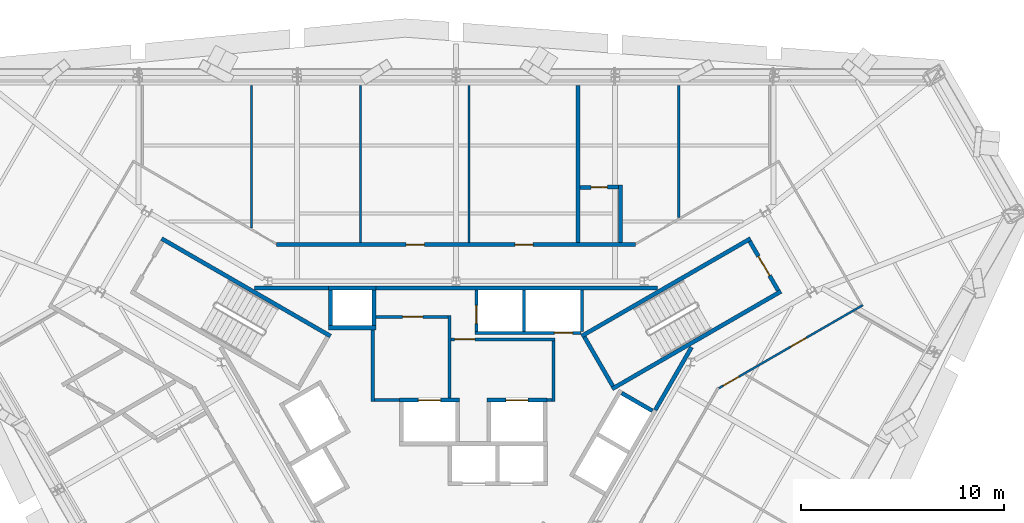
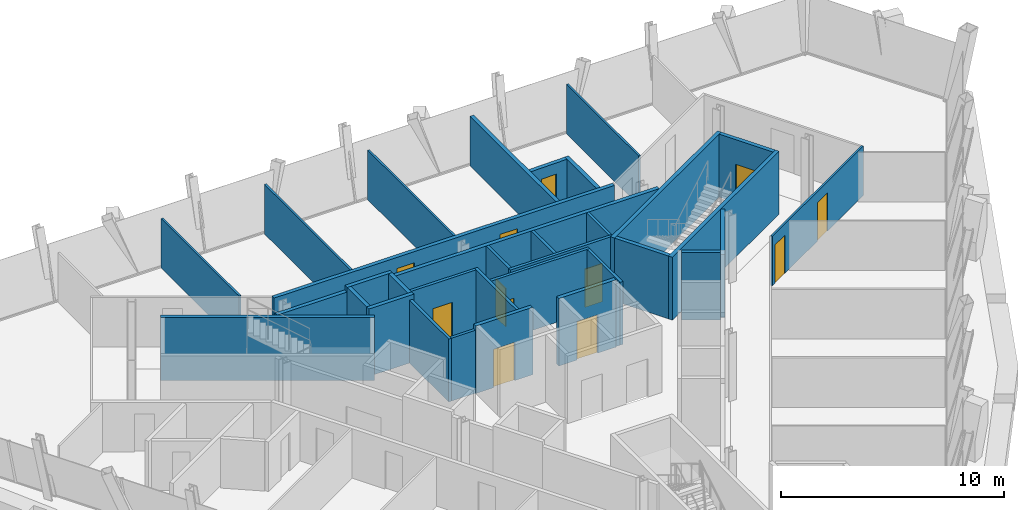
# One storey, part 9 of 12: 35 walls, 12 doors, 12 openings.
"""IFC4 building model written with IfcOpenShell, lengths in metres."""

import ifcopenshell
import ifcopenshell.guid

model = None  # the IFC model being written
_history = None  # IfcOwnerHistory: only IFC2X3 demands one
_inside = {}  # id of a spatial element -> (the spatial element, [elements in it])
_under = {}  # id of a project, library or spatial element -> (it, [spatial elements below it])
_declared = {}  # id of a project -> (the project, [libraries it declares])
_typed = {}  # id of a type object -> (the type object, [elements of that type])
_made_of = {}  # id of a material, layer set ... -> (it, [elements and type objects made of it])


def new_model(schema):
    """Start an empty IFC model of exactly this schema.

    Asked for "IFC4X3", IfcOpenShell would pick the latest addendum, in which some entities
    have other attributes; the version numbers below select the first issue.
    IFC2X3 requires an IfcOwnerHistory on every rooted entity: one is made here for all.
    """
    global model, _history
    if schema == "IFC4X3":
        model = ifcopenshell.file(schema_version=(4, 3, 0, 0))
    else:
        model = ifcopenshell.file(schema=schema)
    _inside.clear()
    _under.clear()
    _declared.clear()
    _typed.clear()
    _made_of.clear()
    _history = None
    if model.schema == "IFC2X3":
        org = make("IfcOrganization", Name="unknown")
        user = make(
            "IfcPersonAndOrganization",
            ThePerson=make("IfcPerson", FamilyName="unknown"),
            TheOrganization=org,
        )
        app = make(
            "IfcApplication",
            ApplicationDeveloper=org,
            Version="unknown",
            ApplicationFullName="unknown",
            ApplicationIdentifier="unknown",
        )
        _history = make(
            "IfcOwnerHistory",
            OwningUser=user,
            OwningApplication=app,
            ChangeAction="ADDED",
            CreationDate=0,
        )
    return model


def make(cls, **values):
    """One entity of the class cls with the attributes given. An attribute that is None is left unset."""
    return model.create_entity(
        cls, **{name: value for name, value in values.items() if value is not None}
    )


def rooted(cls, **values):
    """An entity with a GlobalId (a new one), such as an element, a storey or a relation."""
    return make(cls, GlobalId=ifcopenshell.guid.new(), OwnerHistory=_history, **values)


def si_unit(unit_type, name, prefix=None):
    """IfcSIUnit, for example si_unit("LENGTHUNIT", "METRE", prefix="MILLI")."""
    return make("IfcSIUnit", UnitType=unit_type, Prefix=prefix, Name=name)


def assignment(units):
    """IfcUnitAssignment: the units of a project."""
    return None if units is None else make("IfcUnitAssignment", Units=units)


def point(xyz):
    """IfcCartesianPoint."""
    return None if xyz is None else make("IfcCartesianPoint", Coordinates=xyz)


def direction(xyz):
    """IfcDirection."""
    return None if xyz is None else make("IfcDirection", DirectionRatios=xyz)


def frame(location, z_axis=None, x_axis=None):
    """IfcAxis2Placement3D, a coordinate frame: its origin and axes. An axis left out is left unset."""
    return make(
        "IfcAxis2Placement3D",
        Location=point(location),
        Axis=direction(z_axis),
        RefDirection=direction(x_axis),
    )


def frame_2d(location, x_axis=None):
    """IfcAxis2Placement2D, a coordinate frame in the plane: its origin and x axis."""
    return make(
        "IfcAxis2Placement2D", Location=point(location), RefDirection=direction(x_axis)
    )


def origin():
    """The frame at (0, 0, 0) with its axes left unset."""
    return frame((0.0, 0.0, 0.0))


def place(relative_to, where):
    """IfcLocalPlacement: puts the frame where relative to a parent placement (None: the world)."""
    return make(
        "IfcLocalPlacement", PlacementRelTo=relative_to, RelativePlacement=where
    )


def context(
    kind, dimensions, precision=None, world=None, true_north=None, identifier=None
):
    """IfcGeometricRepresentationContext, for example the 3D "Model" context."""
    return make(
        "IfcGeometricRepresentationContext",
        ContextIdentifier=identifier,
        ContextType=kind,
        CoordinateSpaceDimension=dimensions,
        Precision=precision,
        WorldCoordinateSystem=world,
        TrueNorth=true_north,
    )


def subcontext(parent, identifier, kind, view, scale=None):
    """IfcGeometricRepresentationSubContext, for example "Body" below "Model"."""
    return make(
        "IfcGeometricRepresentationSubContext",
        ContextIdentifier=identifier,
        ContextType=kind,
        ParentContext=parent,
        TargetScale=scale,
        TargetView=view,
    )


def project(units=None, contexts=None):
    """IfcProject with its units and contexts."""
    return rooted(
        "IfcProject",
        Name="project",
        RepresentationContexts=contexts,
        UnitsInContext=assignment(units),
    )


def spatial(cls, under=None, at=None, **own):
    """A site, building, storey or space (cls), placed at a placement, below another one or the project."""
    s = rooted(cls, ObjectPlacement=at, **own)
    if under is not None:
        _under.setdefault(under.id(), (under, []))[1].append(s)
    return s


def profile(cls, at=None, kind="AREA", **sizes):
    """A parametric profile (cls). Its sizes go by their IFC names, for example OverallWidth=200.0."""
    return make(cls, ProfileType=kind, Position=at, **sizes)


def rectangle(**sizes):
    """IfcRectangleProfileDef."""
    return profile("IfcRectangleProfileDef", **sizes)


def extrude(swept, where, along, depth):
    """IfcExtrudedAreaSolid: the profile swept, set in the frame where, extruded along a direction by depth."""
    return make(
        "IfcExtrudedAreaSolid",
        SweptArea=swept,
        Position=where,
        ExtrudedDirection=direction(along),
        Depth=depth,
    )


def shape(context_of_items, identifier, shape_type, items):
    """IfcShapeRepresentation: the items that make up one representation, for example the "Body"."""
    return make(
        "IfcShapeRepresentation",
        ContextOfItems=context_of_items,
        RepresentationIdentifier=identifier,
        RepresentationType=shape_type,
        Items=items,
    )


def material(Name=None, Category=None):
    """IfcMaterial."""
    return make("IfcMaterial", Name=Name, Category=Category)


def layer(
    of_material, thickness, ventilated=None, Name=None, Category=None, Priority=None
):
    """IfcMaterialLayer: one layer of a wall or slab, of a material (None: an air gap)."""
    return make(
        "IfcMaterialLayer",
        Material=of_material,
        LayerThickness=thickness,
        IsVentilated=ventilated,
        Name=Name,
        Category=Category,
        Priority=Priority,
    )


def layer_set(layers, Name=None):
    """IfcMaterialLayerSet."""
    return make("IfcMaterialLayerSet", MaterialLayers=layers, LayerSetName=Name)


def made_of(thing, what):
    """Note that an element or type object is made of a material, layer set ...; save() writes the relation."""
    if what is not None:
        _made_of.setdefault(what.id(), (what, []))[1].append(thing)
    return thing


def type_object(cls, material=None, **own):
    """A type object (cls), such as IfcWallType, which elements share."""
    return made_of(rooted(cls, **own), material)


def element(
    cls,
    number,
    at=None,
    inside=None,
    cuts=None,
    type_object=None,
    material=None,
    context=None,
    identifier="Body",
    shape_type=None,
    held_by="IfcProductDefinitionShape",
    body=None,
    shapes=None,
    **own,
):
    """One element of the class cls, such as IfcWall. Its Tag is "e" and its number.

    at: its placement. inside: the storey or other place that contains it. cuts: it is an
    opening in that element (IfcRelVoidsElement). A single representation is given by context,
    identifier, shape_type and body (its items); several are given by shapes. held_by: the class
    of the entity that holds the representations. save() writes the other relations.
    """
    e = rooted(cls, Tag="e%d" % number, ObjectPlacement=at, **own)
    if body is not None:
        shapes = [shape(context, identifier, shape_type, body)]
    if shapes is not None:
        e.Representation = make(held_by, Representations=shapes)
    if inside is not None:
        _inside.setdefault(inside.id(), (inside, []))[1].append(e)
    if cuts is not None:
        rooted(
            "IfcRelVoidsElement", RelatingBuildingElement=cuts, RelatedOpeningElement=e
        )
    if type_object is not None:
        _typed.setdefault(type_object.id(), (type_object, []))[1].append(e)
    return made_of(e, material)


def fill(opening, filler):
    """IfcRelFillsElement: the door or window that sits in an opening."""
    return rooted(
        "IfcRelFillsElement",
        RelatingOpeningElement=opening,
        RelatedBuildingElement=filler,
    )


def aggregate(whole, parts):
    """IfcRelAggregates: a whole, such as a stair, and the parts it consists of."""
    return rooted("IfcRelAggregates", RelatingObject=whole, RelatedObjects=parts)


def save(model, path):
    """Write the relations noted so far, then the file.

    IfcRelAggregates (storeys below a building ...), IfcRelContainedInSpatialStructure (elements
    in a storey), IfcRelDefinesByType, IfcRelAssociatesMaterial and IfcRelDeclares: one each for
    every whole, place, type object, material and project.
    """
    for whole, parts in _under.values():
        aggregate(whole, parts)
    for where, things in _inside.values():
        rooted(
            "IfcRelContainedInSpatialStructure",
            RelatedElements=things,
            RelatingStructure=where,
        )
    for kind, things in _typed.values():
        rooted("IfcRelDefinesByType", RelatedObjects=things, RelatingType=kind)
    for what, things in _made_of.values():
        rooted("IfcRelAssociatesMaterial", RelatedObjects=things, RelatingMaterial=what)
    for by, libraries in _declared.values():
        rooted("IfcRelDeclares", RelatingContext=by, RelatedDefinitions=libraries)
    model.write(path)


model = new_model("IFC4")

# Units and contexts
model_context = context("Model", 3, precision=1e-05, world=origin(), true_north=direction((0.0, 1.0)))
body_context = subcontext(model_context, "Body", "Model", "MODEL_VIEW")
ifc_project = project(units=[si_unit("LENGTHUNIT", "METRE"), si_unit("AREAUNIT", "SQUARE_METRE"), si_unit("VOLUMEUNIT", "CUBIC_METRE"), si_unit("PLANEANGLEUNIT", "RADIAN"), si_unit("MASSUNIT", "GRAM", prefix="KILO")], contexts=[model_context])

# Site, building, storey
site_placement = place(None, origin())
site = spatial("IfcSite", under=ifc_project, at=site_placement, CompositionType="ELEMENT")
building_placement = place(site_placement, origin())
building = spatial("IfcBuilding", under=site, at=building_placement, Name="Verrane Prism Tower", CompositionType="ELEMENT")
storey_placement = place(building_placement, frame((0.0, 0.0, 185.800048828125)))
storey = spatial("IfcBuildingStorey", under=building, at=storey_placement, Name="L46", CompositionType="ELEMENT", Elevation=185.800048828125)

# Walls
ifc_material_1 = material(Name="Gypsum board partition", Category="other")
ifc_layer_1 = layer(ifc_material_1, 0.199951171875)
ifc_layer_set_1 = layer_set([ifc_layer_1], Name="CW-200 core boundary wall 2 h")
wall_type_1 = type_object("IfcWallType", Name="CW-200 core boundary wall 2 h", PredefinedType="PARTITIONING", material=ifc_layer_set_1)
wall_1_placement = place(storey_placement, frame((-9.907958984375, 7.659912109375, 0.0), z_axis=(0.0, 0.0, 1.0), x_axis=(1.0, 0.0, 0.0)))
element("IfcWall", 1, at=wall_1_placement, inside=storey, type_object=wall_type_1, Name="Core boundary wall CW3-002", PredefinedType="PARTITIONING", context=body_context, shape_type="SweptSolid", body=[
    extrude(rectangle(XDim=3.620849609375, YDim=0.199951171875, at=frame_2d((1.810546875, 0.0))), origin(), (0.0, 0.0, 1.0), 3.449951171875),
])
wall_2_placement = place(storey_placement, frame((-3.93310546875, 7.659912109375, 0.0), z_axis=(0.0, 0.0, 1.0), x_axis=(1.0, 0.0, 0.0)))
element("IfcWall", 2, at=wall_2_placement, inside=storey, type_object=wall_type_1, Name="Core boundary wall CW3-005", PredefinedType="PARTITIONING", context=body_context, shape_type="SweptSolid", body=[
    extrude(rectangle(XDim=13.841064453125, YDim=0.199951171875, at=frame_2d((6.92041015625, 0.0))), origin(), (0.0, 0.0, 1.0), 3.449951171875),
])
wall_3_placement = place(storey_placement, frame((9.802978515625, 1.657958984375, 0.0), z_axis=(0.0, 0.0, 1.0), x_axis=(0.499943114462, 0.866058244174, 0.0)))
element("IfcWall", 3, at=wall_3_placement, inside=storey, type_object=wall_type_1, Name="Core boundary wall CW3-008", PredefinedType="PARTITIONING", context=body_context, shape_type="SweptSolid", body=[
    extrude(rectangle(XDim=3.57568359375, YDim=0.199951171875, at=frame_2d((1.787841796875, 0.0))), origin(), (0.0, 0.0, 1.0), 3.449951171875),
])

# Wall, opening, door
ifc_material_2 = material(Name="Concrete C40/50", Category="concrete")
ifc_layer_2 = layer(ifc_material_2, 0.199951171875)
ifc_layer_set_2 = layer_set([ifc_layer_2], Name="CW-200 stair core wall concrete C40/50 3 h")
wall_type_2 = type_object("IfcWallType", Name="CW-200 stair core wall concrete C40/50 3 h", PredefinedType="PARTITIONING", material=ifc_layer_set_2)
wall_4_placement = place(storey_placement, frame((15.85546875, 7.53759765625, 0.0), z_axis=(0.0, 0.0, 1.0), x_axis=(-0.500049511043, 0.865996816683, 0.0)))
wall_4 = element("IfcWall", 4, at=wall_4_placement, inside=storey, type_object=wall_type_2, Name="Stair 1 enclosure wall", PredefinedType="PARTITIONING", context=body_context, shape_type="SweptSolid", body=[
    extrude(rectangle(XDim=2.800048828125, YDim=0.199951171875, at=frame_2d((1.39990234375, 0.0))), origin(), (0.0, 0.0, 1.0), 3.449951171875),
])
opening_1_placement = place(wall_4_placement, frame((0.849853515625, 0.0, 0.0)))
opening_1 = element("IfcOpeningElement", 5, at=opening_1_placement, cuts=wall_4, Name="Opening D44500", PredefinedType="OPENING", context=body_context, shape_type="SweptSolid", body=[
    extrude(rectangle(XDim=1.10009765625, YDim=2.10009765625, at=frame_2d((0.550048828125, 1.050048828125))), frame((0.0, 0.10986328125, 0.0), z_axis=(0.0, -1.0, 0.0), x_axis=(1.0, 0.0, 0.0)), (0.0, 0.0, 1.0), 0.219970703125),
])
ifc_material_3 = material(Name="Timber veneered door leaf", Category="wood")
door_type_1 = type_object("IfcDoorType", Name="DR-1100x2100 FD90 single leaf stair", OperationType="NOTDEFINED", PredefinedType="DOOR", material=ifc_material_3)
door_1_placement = place(opening_1_placement, origin())
door_1 = element("IfcDoor", 6, at=door_1_placement, inside=storey, type_object=door_type_1, Name="Stair 1 door", OperationType="SINGLE_SWING_LEFT", OverallHeight=2.10009765625, OverallWidth=1.10009765625, PredefinedType="DOOR", context=body_context, shape_type="SweptSolid", body=[
    extrude(rectangle(XDim=1.10009765625, YDim=2.10009765625, at=frame_2d((0.550048828125, 1.050048828125))), frame((0.0, 0.02490234375, 0.0), z_axis=(0.0, -1.0, 0.0), x_axis=(1.0, 0.0, 0.0)), (0.0, 0.0, 1.0), 0.050048828125),
])
fill(opening_1, door_1)

# Walls
for number, where, z_axis, x_axis, name in (
    (7, (6.17822265625, 5.299072265625, 0.0), (0.0, 0.0, 1.0), (0.866019993635, 0.500009370536, 0.0), "Stair 1 enclosure wall"),
    (8, (7.67822265625, 2.700927734375, 0.0), (0.0, 0.0, 1.0), (0.866019993635, 0.500009370536, 0.0), "Stair 1 enclosure wall"),
):
    element("IfcWall", number, at=place(storey_placement, frame(where, z_axis=z_axis, x_axis=x_axis)), inside=storey, type_object=wall_type_2, Name=name, PredefinedType="PARTITIONING", context=body_context, shape_type="SweptSolid", body=[
        extrude(rectangle(XDim=9.599853515625, YDim=0.199951171875, at=frame_2d((4.7998046875, 0.0))), origin(), (0.0, 0.0, 1.0), 3.449951171875),
    ])
wall_5_placement = place(storey_placement, frame((7.71484375, 2.837646484375, 0.0), z_axis=(0.0, 0.0, 1.0), x_axis=(-0.500049511043, 0.865996816683, 0.0)))
element("IfcWall", 9, at=wall_5_placement, inside=storey, type_object=wall_type_2, Name="Stair 1 enclosure wall", PredefinedType="PARTITIONING", context=body_context, shape_type="SweptSolid", body=[
    extrude(rectangle(XDim=2.800048828125, YDim=0.199951171875, at=frame_2d((1.39990234375, 0.0))), origin(), (0.0, 0.0, 1.0), 3.449951171875),
])
wall_6_placement = place(storey_placement, frame((-6.17822265625, 5.299072265625, 0.0), z_axis=(0.0, 0.0, 1.0), x_axis=(-0.866019993635, 0.500009370536, 0.0)))
element("IfcWall", 10, at=wall_6_placement, inside=storey, type_object=wall_type_2, Name="Stair 2 enclosure wall", PredefinedType="PARTITIONING", context=body_context, shape_type="SweptSolid", body=[
    extrude(rectangle(XDim=9.599853515625, YDim=0.199951171875, at=frame_2d((4.7998046875, 0.0))), origin(), (0.0, 0.0, 1.0), 3.449951171875),
])

# Wall, opening, door
ifc_material_4 = material(Name="Gypsum board shaft wall assembly", Category="other")
ifc_layer_3 = layer(ifc_material_4, 0.199951171875)
ifc_layer_set_3 = layer_set([ifc_layer_3], Name="HW-200 lift shaft wall 2 h")
wall_type_3 = type_object("IfcWallType", Name="HW-200 lift shaft wall 2 h", PredefinedType="PARTITIONING", material=ifc_layer_set_3)
wall_7_placement = place(storey_placement, frame((-2.784912109375, 2.14990234375, 0.0), z_axis=(0.0, 0.0, 1.0), x_axis=(1.0, 0.0, 0.0)))
wall_7 = element("IfcWall", 11, at=wall_7_placement, inside=storey, type_object=wall_type_3, Name="Lift shaft wall", PredefinedType="PARTITIONING", context=body_context, shape_type="SweptSolid", body=[
    extrude(rectangle(XDim=2.949951171875, YDim=0.199951171875, at=frame_2d((1.47509765625, 0.0))), origin(), (0.0, 0.0, 1.0), 3.699951171875),
])
opening_2_placement = place(wall_7_placement, frame((0.925048828125, 0.0, 0.0)))
opening_2 = element("IfcOpeningElement", 12, at=opening_2_placement, cuts=wall_7, Name="Opening D44507", PredefinedType="OPENING", context=body_context, shape_type="SweptSolid", body=[
    extrude(rectangle(XDim=1.10009765625, YDim=2.10009765625, at=frame_2d((0.550048828125, 1.050048828125))), frame((0.0, 0.10986328125, 0.0), z_axis=(0.0, -1.0, 0.0), x_axis=(1.0, 0.0, 0.0)), (0.0, 0.0, 1.0), 0.219970703125),
])
ifc_material_5 = material(Name="Stainless steel sliding landing door", Category="steel")
door_type_2 = type_object("IfcDoorType", Name="LD-1100x2100 lift landing door FD90 sliding", OperationType="NOTDEFINED", PredefinedType="DOOR", material=ifc_material_5)
door_2_placement = place(opening_2_placement, origin())
door_2 = element("IfcDoor", 13, at=door_2_placement, inside=storey, type_object=door_type_2, Name="Fire service lift 1 landing door", OperationType="SLIDING_TO_LEFT", OverallHeight=2.10009765625, OverallWidth=1.10009765625, PredefinedType="DOOR", context=body_context, shape_type="SweptSolid", body=[
    extrude(rectangle(XDim=1.10009765625, YDim=2.10009765625, at=frame_2d((0.550048828125, 1.050048828125))), frame((0.0, 0.02490234375, 0.0), z_axis=(0.0, -1.0, 0.0), x_axis=(1.0, 0.0, 0.0)), (0.0, 0.0, 1.0), 0.050048828125),
])
fill(opening_2, door_2)

wall_8_placement = place(storey_placement, frame((1.52490234375, 2.14990234375, 0.0), z_axis=(0.0, 0.0, 1.0), x_axis=(1.0, 0.0, 0.0)))
wall_8 = element("IfcWall", 14, at=wall_8_placement, inside=storey, type_object=wall_type_3, Name="Lift shaft wall", PredefinedType="PARTITIONING", context=body_context, shape_type="SweptSolid", body=[
    extrude(rectangle(XDim=2.9501953125, YDim=0.199951171875, at=frame_2d((1.47509765625, 0.0))), origin(), (0.0, 0.0, 1.0), 3.699951171875),
])
opening_3_placement = place(wall_8_placement, frame((0.925048828125, 0.0, 0.0)))
opening_3 = element("IfcOpeningElement", 15, at=opening_3_placement, cuts=wall_8, Name="Opening D44508", PredefinedType="OPENING", context=body_context, shape_type="SweptSolid", body=[
    extrude(rectangle(XDim=1.10009765625, YDim=2.10009765625, at=frame_2d((0.550048828125, 1.050048828125))), frame((0.0, 0.10986328125, 0.0), z_axis=(0.0, -1.0, 0.0), x_axis=(1.0, 0.0, 0.0)), (0.0, 0.0, 1.0), 0.219970703125),
])
door_3_placement = place(opening_3_placement, origin())
door_3 = element("IfcDoor", 16, at=door_3_placement, inside=storey, type_object=door_type_2, Name="Fire service lift 2 landing door", OperationType="SLIDING_TO_RIGHT", OverallHeight=2.10009765625, OverallWidth=1.10009765625, PredefinedType="DOOR", context=body_context, shape_type="SweptSolid", body=[
    extrude(rectangle(XDim=1.10009765625, YDim=2.10009765625, at=frame_2d((0.550048828125, 1.050048828125))), frame((0.0, 0.02490234375, 0.0), z_axis=(0.0, -1.0, 0.0), x_axis=(1.0, 0.0, 0.0)), (0.0, 0.0, 1.0), 0.050048828125),
])
fill(opening_3, door_3)

# Walls
for number, where, z_axis, x_axis, name in (
    (17, (-6.284912109375, 5.7099609375, 0.0), (0.0, 0.0, 1.0), (1.0, 0.0, 0.0), "Lift shaft wall"),
    (18, (-6.284912109375, 7.659912109375, 0.0), (0.0, 0.0, 1.0), (1.0, 0.0, 0.0), "Lift shaft wall"),
):
    element("IfcWall", number, at=place(storey_placement, frame(where, z_axis=z_axis, x_axis=x_axis)), inside=storey, type_object=wall_type_3, Name=name, PredefinedType="PARTITIONING", context=body_context, shape_type="SweptSolid", body=[
        extrude(rectangle(XDim=2.349853515625, YDim=0.199951171875, at=frame_2d((1.1748046875, 0.0))), origin(), (0.0, 0.0, 1.0), 3.699951171875),
    ])
for number, where, z_axis, x_axis, name in (
    (19, (-4.034912109375, 5.81005859375, 0.0), (0.0, 0.0, 1.0), (0.0, 1.0, 0.0), "Lift shaft wall"),
    (20, (-6.18505859375, 5.81005859375, 0.0), (0.0, 0.0, 1.0), (0.0, 1.0, 0.0), "Lift shaft wall"),
):
    element("IfcWall", number, at=place(storey_placement, frame(where, z_axis=z_axis, x_axis=x_axis)), inside=storey, type_object=wall_type_3, Name=name, PredefinedType="PARTITIONING", context=body_context, shape_type="SweptSolid", body=[
        extrude(rectangle(XDim=1.75, YDim=0.199951171875, at=frame_2d((0.875, 0.0))), origin(), (0.0, 0.0, 1.0), 3.699951171875),
    ])
wall_9_placement = place(storey_placement, frame((9.66455078125, 1.61962890625, 0.0), z_axis=(0.0, 0.0, 1.0), x_axis=(-0.866002029911, 0.500040482552, 0.0)))
element("IfcWall", 21, at=wall_9_placement, inside=storey, type_object=wall_type_3, Name="Lift shaft wall", PredefinedType="PARTITIONING", context=body_context, shape_type="SweptSolid", body=[
    extrude(rectangle(XDim=1.749755859375, YDim=0.199951171875, at=frame_2d((0.875, 0.0))), origin(), (0.0, 0.0, 1.0), 3.699951171875),
])
ifc_material_6 = material(Name="Gypsum board partition", Category="other")
ifc_layer_4 = layer(ifc_material_6, 0.14990234375)
ifc_layer_set_4 = layer_set([ifc_layer_4], Name="LF-150 firefighting lobby wall 1 h")
wall_type_4 = type_object("IfcWallType", Name="LF-150 firefighting lobby wall 1 h", PredefinedType="PARTITIONING", material=ifc_layer_set_4)
wall_10_placement = place(storey_placement, frame((-4.10009765625, 2.0849609375, 0.0), z_axis=(0.0, 0.0, 1.0), x_axis=(0.0, 1.0, 0.0)))
element("IfcWall", 22, at=wall_10_placement, inside=storey, type_object=wall_type_4, Name="Firefighting lobby wall LF1-001", PredefinedType="PARTITIONING", context=body_context, shape_type="SweptSolid", body=[
    extrude(rectangle(XDim=3.52294921875, YDim=0.14990234375, at=frame_2d((1.761474609375, 0.0))), origin(), (0.0, 0.0, 1.0), 3.449951171875),
])
wall_11_placement = place(storey_placement, frame((-4.02490234375, 2.159912109375, 0.0), z_axis=(0.0, 0.0, 1.0), x_axis=(1.0, 0.0, 0.0)))
element("IfcWall", 23, at=wall_11_placement, inside=storey, type_object=wall_type_4, Name="Firefighting lobby wall LF1-002", PredefinedType="PARTITIONING", context=body_context, shape_type="SweptSolid", body=[
    extrude(rectangle(XDim=1.23779296875, YDim=0.14990234375, at=frame_2d((0.618896484375, 0.0))), origin(), (0.0, 0.0, 1.0), 3.449951171875),
])

# Wall, opening, door
wall_12_placement = place(storey_placement, frame((-3.93310546875, 6.239990234375, 0.0), z_axis=(0.0, 0.0, 1.0), x_axis=(1.0, 0.0, 0.0)))
wall_12 = element("IfcWall", 24, at=wall_12_placement, inside=storey, type_object=wall_type_4, Name="Firefighting lobby wall LF1-003", PredefinedType="PARTITIONING", context=body_context, shape_type="SweptSolid", body=[
    extrude(rectangle(XDim=3.5380859375, YDim=0.14990234375, at=frame_2d((1.76904296875, 0.0))), origin(), (0.0, 0.0, 1.0), 3.449951171875),
])
opening_4_placement = place(wall_12_placement, frame((1.300048828125, 0.0, 0.0)))
opening_4 = element("IfcOpeningElement", 25, at=opening_4_placement, cuts=wall_12, Name="Opening D44511", PredefinedType="OPENING", context=body_context, shape_type="SweptSolid", body=[
    extrude(rectangle(XDim=1.0, YDim=2.10009765625, at=frame_2d((0.5, 1.050048828125))), frame((0.0, 0.0849609375, 0.0), z_axis=(0.0, -1.0, 0.0), x_axis=(1.0, 0.0, 0.0)), (0.0, 0.0, 1.0), 0.169921875),
])
ifc_material_7 = material(Name="Timber veneered door leaf", Category="wood")
door_type_3 = type_object("IfcDoorType", Name="DR-1000x2100 FD60 single leaf firefighting lobby", OperationType="NOTDEFINED", PredefinedType="DOOR", material=ifc_material_7)
door_4_placement = place(opening_4_placement, origin())
door_4 = element("IfcDoor", 26, at=door_4_placement, inside=storey, type_object=door_type_3, Name="Firefighting lobby door D44511", OperationType="SINGLE_SWING_LEFT", OverallHeight=2.10009765625, OverallWidth=1.0, PredefinedType="DOOR", context=body_context, shape_type="SweptSolid", body=[
    extrude(rectangle(XDim=1.0, YDim=2.10009765625, at=frame_2d((0.5, 1.050048828125))), frame((0.0, 0.02490234375, 0.0), z_axis=(0.0, -1.0, 0.0), x_axis=(1.0, 0.0, 0.0)), (0.0, 0.0, 1.0), 0.050048828125),
])
fill(opening_4, door_4)

# Wall
wall_13_placement = place(storey_placement, frame((-0.320068359375, 2.251953125, 0.0), z_axis=(0.0, 0.0, 1.0), x_axis=(0.0, 1.0, 0.0)))
element("IfcWall", 27, at=wall_13_placement, inside=storey, type_object=wall_type_4, Name="Firefighting lobby wall LF1-004", PredefinedType="PARTITIONING", context=body_context, shape_type="SweptSolid", body=[
    extrude(rectangle(XDim=4.06298828125, YDim=0.14990234375, at=frame_2d((2.031494140625, 0.0))), origin(), (0.0, 0.0, 1.0), 3.449951171875),
])

# Wall, opening, door
wall_14_placement = place(storey_placement, frame((-0.2451171875, 5.139892578125, 0.0), z_axis=(0.0, 0.0, 1.0), x_axis=(1.0, 0.0, 0.0)))
wall_14 = element("IfcWall", 28, at=wall_14_placement, inside=storey, type_object=wall_type_4, Name="Firefighting lobby wall LF1-005", PredefinedType="PARTITIONING", context=body_context, shape_type="SweptSolid", body=[
    extrude(rectangle(XDim=5.110107421875, YDim=0.14990234375, at=frame_2d((2.55517578125, 0.0))), origin(), (0.0, 0.0, 1.0), 3.449951171875),
])
opening_5_placement = place(wall_14_placement, frame((0.175048828125, 0.0, 0.0)))
opening_5 = element("IfcOpeningElement", 29, at=opening_5_placement, cuts=wall_14, Name="Opening D44512", PredefinedType="OPENING", context=body_context, shape_type="SweptSolid", body=[
    extrude(rectangle(XDim=1.0, YDim=2.10009765625, at=frame_2d((0.5, 1.050048828125))), frame((0.0, 0.0849609375, 0.0), z_axis=(0.0, -1.0, 0.0), x_axis=(1.0, 0.0, 0.0)), (0.0, 0.0, 1.0), 0.169921875),
])
door_5_placement = place(opening_5_placement, origin())
door_5 = element("IfcDoor", 30, at=door_5_placement, inside=storey, type_object=door_type_3, Name="Firefighting lobby door D44512", OperationType="SINGLE_SWING_LEFT", OverallHeight=2.10009765625, OverallWidth=1.0, PredefinedType="DOOR", context=body_context, shape_type="SweptSolid", body=[
    extrude(rectangle(XDim=1.0, YDim=2.10009765625, at=frame_2d((0.5, 1.050048828125))), frame((0.0, 0.02490234375, 0.0), z_axis=(0.0, -1.0, 0.0), x_axis=(1.0, 0.0, 0.0)), (0.0, 0.0, 1.0), 0.050048828125),
])
fill(opening_5, door_5)

# Walls
wall_15_placement = place(storey_placement, frame((4.47705078125, 2.159912109375, 0.0), z_axis=(0.0, 0.0, 1.0), x_axis=(1.0, 0.0, 0.0)))
element("IfcWall", 31, at=wall_15_placement, inside=storey, type_object=wall_type_4, Name="Firefighting lobby wall LF1-006", PredefinedType="PARTITIONING", context=body_context, shape_type="SweptSolid", body=[
    extrude(rectangle(XDim=0.238037109375, YDim=0.14990234375, at=frame_2d((0.119140625, 0.0))), origin(), (0.0, 0.0, 1.0), 3.449951171875),
])
wall_16_placement = place(storey_placement, frame((4.7900390625, 2.0849609375, 0.0), z_axis=(0.0, 0.0, 1.0), x_axis=(0.0, 1.0, 0.0)))
element("IfcWall", 32, at=wall_16_placement, inside=storey, type_object=wall_type_4, Name="Firefighting lobby wall LF1-007", PredefinedType="PARTITIONING", context=body_context, shape_type="SweptSolid", body=[
    extrude(rectangle(XDim=2.97998046875, YDim=0.14990234375, at=frame_2d((1.489990234375, 0.0))), origin(), (0.0, 0.0, 1.0), 3.449951171875),
])
ifc_material_8 = material(Name="Gypsum board partition", Category="other")
ifc_layer_5 = layer(ifc_material_8, 0.10009765625)
ifc_layer_set_5 = layer_set([ifc_layer_5], Name="PW-100 room partition")
wall_type_5 = type_object("IfcWallType", Name="PW-100 room partition", PredefinedType="PARTITIONING", material=ifc_layer_set_5)
wall_17_placement = place(storey_placement, frame((-10.06591796875, 10.630615234375, 0.0), z_axis=(0.0, 0.0, 1.0), x_axis=(0.0, 1.0, 0.0)))
element("IfcWall", 33, at=wall_17_placement, inside=storey, type_object=wall_type_5, Name="Room partition 016", PredefinedType="PARTITIONING", context=body_context, shape_type="SweptSolid", body=[
    extrude(rectangle(XDim=7.00439453125, YDim=0.10009765625, at=frame_2d((3.502197265625, 0.0))), origin(), (0.0, 0.0, 1.0), 2.712890625),
])
for number, where, z_axis, x_axis, name in (
    (34, (-4.7109375, 9.89990234375, 0.0), (0.0, 0.0, 1.0), (0.0, 1.0, 0.0), "Room partition 019"),
    (35, (0.64501953125, 9.89990234375, 0.0), (0.0, 0.0, 1.0), (0.0, 1.0, 0.0), "Room partition 022"),
):
    element("IfcWall", number, at=place(storey_placement, frame(where, z_axis=z_axis, x_axis=x_axis)), inside=storey, type_object=wall_type_5, Name=name, PredefinedType="PARTITIONING", context=body_context, shape_type="SweptSolid", body=[
        extrude(rectangle(XDim=7.735107421875, YDim=0.10009765625, at=frame_2d((3.86767578125, 0.0))), origin(), (0.0, 0.0, 1.0), 2.712890625),
    ])
wall_18_placement = place(storey_placement, frame((10.958984375, 11.1455078125, 0.0), z_axis=(0.0, 0.0, 1.0), x_axis=(0.0, 1.0, 0.0)))
element("IfcWall", 36, at=wall_18_placement, inside=storey, type_object=wall_type_5, Name="Room partition 036", PredefinedType="PARTITIONING", context=body_context, shape_type="SweptSolid", body=[
    extrude(rectangle(XDim=6.489501953125, YDim=0.10009765625, at=frame_2d((3.24462890625, 0.0))), origin(), (0.0, 0.0, 1.0), 2.712890625),
])

# Wall, openings, doors
wall_19_placement = place(storey_placement, frame((20.023193359375, 6.825927734375, 0.0), z_axis=(0.0, 0.0, 1.0), x_axis=(-0.866097124975, -0.499875754673, 0.0)))
wall_19 = element("IfcWall", 37, at=wall_19_placement, inside=storey, type_object=wall_type_5, Name="Room partition 037", PredefinedType="PARTITIONING", context=body_context, shape_type="SweptSolid", body=[
    extrude(rectangle(XDim=8.1796875, YDim=0.10009765625, at=frame_2d((4.08984375, 0.0))), origin(), (0.0, 0.0, 1.0), 2.712890625),
])
opening_6_placement = place(wall_19_placement, frame((7.050048828125, 0.0, 0.0)))
opening_6 = element("IfcOpeningElement", 38, at=opening_6_placement, cuts=wall_19, Name="Opening D44006", PredefinedType="OPENING", context=body_context, shape_type="SweptSolid", body=[
    extrude(rectangle(XDim=0.89990234375, YDim=2.10009765625, at=frame_2d((0.449951171875, 1.050048828125))), frame((0.0, 0.06005859375, 0.0), z_axis=(0.0, -1.0, 0.0), x_axis=(1.0, 0.0, 0.0)), (0.0, 0.0, 1.0), 0.1201171875),
])
opening_7_placement = place(wall_19_placement, frame((3.214111328125, 0.0, 0.0)))
opening_7 = element("IfcOpeningElement", 39, at=opening_7_placement, cuts=wall_19, Name="Opening D44007", PredefinedType="OPENING", context=body_context, shape_type="SweptSolid", body=[
    extrude(rectangle(XDim=0.89990234375, YDim=2.10009765625, at=frame_2d((0.449951171875, 1.050048828125))), frame((0.0, 0.06005859375, 0.0), z_axis=(0.0, -1.0, 0.0), x_axis=(1.0, 0.0, 0.0)), (0.0, 0.0, 1.0), 0.1201171875),
])
ifc_material_9 = material(Name="Timber veneered door leaf", Category="wood")
door_type_4 = type_object("IfcDoorType", Name="DR-900x2100 single leaf unit", OperationType="NOTDEFINED", PredefinedType="DOOR", material=ifc_material_9)
door_6_placement = place(opening_6_placement, origin())
door_6 = element("IfcDoor", 40, at=door_6_placement, inside=storey, type_object=door_type_4, Name="Study door", OperationType="SINGLE_SWING_LEFT", OverallHeight=2.10009765625, OverallWidth=0.89990234375, PredefinedType="DOOR", context=body_context, shape_type="SweptSolid", body=[
    extrude(rectangle(XDim=0.89990234375, YDim=2.10009765625, at=frame_2d((0.449951171875, 1.050048828125))), frame((0.0, 0.02490234375, 0.0), z_axis=(0.0, -1.0, 0.0), x_axis=(1.0, 0.0, 0.0)), (0.0, 0.0, 1.0), 0.050048828125),
])
fill(opening_6, door_6)
door_7_placement = place(opening_7_placement, origin())
door_7 = element("IfcDoor", 41, at=door_7_placement, inside=storey, type_object=door_type_4, Name="Study door", OperationType="SINGLE_SWING_RIGHT", OverallHeight=2.10009765625, OverallWidth=0.89990234375, PredefinedType="DOOR", context=body_context, shape_type="SweptSolid", body=[
    extrude(rectangle(XDim=0.89990234375, YDim=2.10009765625, at=frame_2d((0.449951171875, 1.050048828125))), frame((0.0, 0.02490234375, 0.0), z_axis=(0.0, -1.0, 0.0), x_axis=(1.0, 0.0, 0.0)), (0.0, 0.0, 1.0), 0.050048828125),
])
fill(opening_7, door_7)

ifc_material_10 = material(Name="Gypsum board partition", Category="other")
ifc_layer_6 = layer(ifc_material_10, 0.199951171875)
ifc_layer_set_6 = layer_set([ifc_layer_6], Name="PW-200 plumbing wall")
wall_type_6 = type_object("IfcWallType", Name="PW-200 plumbing wall", PredefinedType="PARTITIONING", material=ifc_layer_set_6)
wall_20_placement = place(storey_placement, frame((-8.827880859375, 9.800048828125, 0.0), z_axis=(0.0, 0.0, 1.0), x_axis=(1.0, 0.0, 0.0)))
wall_20 = element("IfcWall", 42, at=wall_20_placement, inside=storey, type_object=wall_type_6, Name="Plumbing wall 017", PredefinedType="PARTITIONING", context=body_context, shape_type="SweptSolid", body=[
    extrude(rectangle(XDim=17.65576171875, YDim=0.199951171875, at=frame_2d((8.827880859375, 0.0))), origin(), (0.0, 0.0, 1.0), 2.712890625),
])
opening_8_placement = place(wall_20_placement, frame((11.722900390625, 0.0, 0.0)))
opening_8 = element("IfcOpeningElement", 43, at=opening_8_placement, cuts=wall_20, Name="Opening D44012", PredefinedType="OPENING", context=body_context, shape_type="SweptSolid", body=[
    extrude(rectangle(XDim=0.89990234375, YDim=2.10009765625, at=frame_2d((0.449951171875, 1.050048828125))), frame((0.0, 0.10986328125, 0.0), z_axis=(0.0, -1.0, 0.0), x_axis=(1.0, 0.0, 0.0)), (0.0, 0.0, 1.0), 0.219970703125),
])
opening_9_placement = place(wall_20_placement, frame((6.366943359375, 0.0, 0.0)))
opening_9 = element("IfcOpeningElement", 44, at=opening_9_placement, cuts=wall_20, Name="Opening D44013", PredefinedType="OPENING", context=body_context, shape_type="SweptSolid", body=[
    extrude(rectangle(XDim=0.89990234375, YDim=2.10009765625, at=frame_2d((0.449951171875, 1.050048828125))), frame((0.0, 0.10986328125, 0.0), z_axis=(0.0, -1.0, 0.0), x_axis=(1.0, 0.0, 0.0)), (0.0, 0.0, 1.0), 0.219970703125),
])
door_8_placement = place(opening_8_placement, origin())
door_8 = element("IfcDoor", 45, at=door_8_placement, inside=storey, type_object=door_type_4, Name="Study door", OperationType="SINGLE_SWING_RIGHT", OverallHeight=2.10009765625, OverallWidth=0.89990234375, PredefinedType="DOOR", context=body_context, shape_type="SweptSolid", body=[
    extrude(rectangle(XDim=0.89990234375, YDim=2.10009765625, at=frame_2d((0.449951171875, 1.050048828125))), frame((0.0, 0.02490234375, 0.0), z_axis=(0.0, -1.0, 0.0), x_axis=(1.0, 0.0, 0.0)), (0.0, 0.0, 1.0), 0.050048828125),
])
fill(opening_8, door_8)
door_9_placement = place(opening_9_placement, origin())
door_9 = element("IfcDoor", 46, at=door_9_placement, inside=storey, type_object=door_type_4, Name="Study door", OperationType="SINGLE_SWING_LEFT", OverallHeight=2.10009765625, OverallWidth=0.89990234375, PredefinedType="DOOR", context=body_context, shape_type="SweptSolid", body=[
    extrude(rectangle(XDim=0.89990234375, YDim=2.10009765625, at=frame_2d((0.449951171875, 1.050048828125))), frame((0.0, 0.02490234375, 0.0), z_axis=(0.0, -1.0, 0.0), x_axis=(1.0, 0.0, 0.0)), (0.0, 0.0, 1.0), 0.050048828125),
])
fill(opening_9, door_9)

# Wall
wall_21_placement = place(storey_placement, frame((6.0, 9.89990234375, 0.0), z_axis=(0.0, 0.0, 1.0), x_axis=(0.0, 1.0, 0.0)))
element("IfcWall", 47, at=wall_21_placement, inside=storey, type_object=wall_type_6, Name="Plumbing wall 029", PredefinedType="PARTITIONING", context=body_context, shape_type="SweptSolid", body=[
    extrude(rectangle(XDim=7.735107421875, YDim=0.199951171875, at=frame_2d((3.86767578125, 0.0))), origin(), (0.0, 0.0, 1.0), 2.712890625),
])

# Wall, opening, door
wall_22_placement = place(storey_placement, frame((7.9951171875, 12.639892578125, 0.0), z_axis=(0.0, 0.0, 1.0), x_axis=(-0.999800266148, -0.019985690128, 0.0)))
wall_22 = element("IfcWall", 48, at=wall_22_placement, inside=storey, type_object=wall_type_6, Name="Plumbing wall 030", PredefinedType="PARTITIONING", context=body_context, shape_type="SweptSolid", body=[
    extrude(rectangle(XDim=1.8935546875, YDim=0.199951171875, at=frame_2d((0.94677734375, 0.0))), origin(), (0.0, 0.0, 1.0), 2.712890625),
])
opening_10_placement = place(wall_22_placement, frame((0.54541015625, 0.0, 0.0)))
opening_10 = element("IfcOpeningElement", 49, at=opening_10_placement, cuts=wall_22, Name="Opening D44011", PredefinedType="OPENING", context=body_context, shape_type="SweptSolid", body=[
    extrude(rectangle(XDim=0.800048828125, YDim=2.10009765625, at=frame_2d((0.39990234375, 1.050048828125))), frame((0.0, 0.10986328125, 0.0), z_axis=(0.0, -1.0, 0.0), x_axis=(1.0, 0.0, 0.0)), (0.0, 0.0, 1.0), 0.219970703125),
])
ifc_material_11 = material(Name="Timber veneered door leaf", Category="wood")
door_type_5 = type_object("IfcDoorType", Name="DR-800x2100 single leaf bath", OperationType="NOTDEFINED", PredefinedType="DOOR", material=ifc_material_11)
door_10_placement = place(opening_10_placement, origin())
door_10 = element("IfcDoor", 50, at=door_10_placement, inside=storey, type_object=door_type_5, Name="Bathroom door", OperationType="SINGLE_SWING_RIGHT", OverallHeight=2.10009765625, OverallWidth=0.800048828125, PredefinedType="DOOR", context=body_context, shape_type="SweptSolid", body=[
    extrude(rectangle(XDim=0.800048828125, YDim=2.10009765625, at=frame_2d((0.39990234375, 1.050048828125))), frame((0.0, 0.02490234375, 0.0), z_axis=(0.0, -1.0, 0.0), x_axis=(1.0, 0.0, 0.0)), (0.0, 0.0, 1.0), 0.050048828125),
])
fill(opening_10, door_10)

# Wall
wall_23_placement = place(storey_placement, frame((8.10009765625, 9.89990234375, 0.0), z_axis=(0.0, 0.0, 1.0), x_axis=(0.0, 1.0, 0.0)))
element("IfcWall", 51, at=wall_23_placement, inside=storey, type_object=wall_type_6, Name="Plumbing wall 032", PredefinedType="PARTITIONING", context=body_context, shape_type="SweptSolid", body=[
    extrude(rectangle(XDim=2.842041015625, YDim=0.199951171875, at=frame_2d((1.4208984375, 0.0))), origin(), (0.0, 0.0, 1.0), 2.712890625),
])

# Wall, opening, door
ifc_material_12 = material(Name="Gypsum board partition", Category="other")
ifc_layer_7 = layer(ifc_material_12, 0.14990234375)
ifc_layer_set_7 = layer_set([ifc_layer_7], Name="RS-150 riser enclosure wall 1 h")
wall_type_7 = type_object("IfcWallType", Name="RS-150 riser enclosure wall 1 h", PredefinedType="PARTITIONING", material=ifc_layer_set_7)
wall_24_placement = place(storey_placement, frame((1.0, 7.56005859375, 0.0), z_axis=(0.0, 0.0, 1.0), x_axis=(0.0, -1.0, 0.0)))
wall_24 = element("IfcWall", 52, at=wall_24_placement, inside=storey, type_object=wall_type_7, Name="Riser wall RS3-001", PredefinedType="PARTITIONING", context=body_context, shape_type="SweptSolid", body=[
    extrude(rectangle(XDim=2.025146484375, YDim=0.14990234375, at=frame_2d((1.0126953125, 0.0))), origin(), (0.0, 0.0, 1.0), 3.449951171875),
])
opening_11_placement = place(wall_24_placement, frame((0.75, 0.0, 0.0)))
opening_11 = element("IfcOpeningElement", 53, at=opening_11_placement, cuts=wall_24, Name="Opening D44513", PredefinedType="OPENING", context=body_context, shape_type="SweptSolid", body=[
    extrude(rectangle(XDim=0.89990234375, YDim=2.10009765625, at=frame_2d((0.449951171875, 1.050048828125))), frame((0.0, 0.0849609375, 0.0), z_axis=(0.0, -1.0, 0.0), x_axis=(1.0, 0.0, 0.0)), (0.0, 0.0, 1.0), 0.169921875),
])
ifc_material_13 = material(Name="Timber veneered door leaf", Category="wood")
door_type_6 = type_object("IfcDoorType", Name="DR-900x2100 FD60 single leaf riser", OperationType="NOTDEFINED", PredefinedType="DOOR", material=ifc_material_13)
door_11_placement = place(opening_11_placement, origin())
door_11 = element("IfcDoor", 54, at=door_11_placement, inside=storey, type_object=door_type_6, Name="Riser door D44513", OperationType="SINGLE_SWING_RIGHT", OverallHeight=2.10009765625, OverallWidth=0.89990234375, PredefinedType="DOOR", context=body_context, shape_type="SweptSolid", body=[
    extrude(rectangle(XDim=0.89990234375, YDim=2.10009765625, at=frame_2d((0.449951171875, 1.050048828125))), frame((0.0, 0.02490234375, 0.0), z_axis=(0.0, -1.0, 0.0), x_axis=(1.0, 0.0, 0.0)), (0.0, 0.0, 1.0), 0.050048828125),
])
fill(opening_11, door_11)

wall_25_placement = place(storey_placement, frame((0.925048828125, 5.4599609375, 0.0), z_axis=(0.0, 0.0, 1.0), x_axis=(1.0, 0.0, 0.0)))
wall_25 = element("IfcWall", 55, at=wall_25_placement, inside=storey, type_object=wall_type_7, Name="Riser wall RS3-002", PredefinedType="PARTITIONING", context=body_context, shape_type="SweptSolid", body=[
    extrude(rectangle(XDim=5.219970703125, YDim=0.14990234375, at=frame_2d((2.60986328125, 0.0))), origin(), (0.0, 0.0, 1.0), 3.449951171875),
])
opening_12_placement = place(wall_25_placement, frame((3.9150390625, 0.0, 0.0)))
opening_12 = element("IfcOpeningElement", 56, at=opening_12_placement, cuts=wall_25, Name="Opening D44514", PredefinedType="OPENING", context=body_context, shape_type="SweptSolid", body=[
    extrude(rectangle(XDim=0.89990234375, YDim=2.10009765625, at=frame_2d((0.449951171875, 1.050048828125))), frame((0.0, 0.0849609375, 0.0), z_axis=(0.0, -1.0, 0.0), x_axis=(1.0, 0.0, 0.0)), (0.0, 0.0, 1.0), 0.169921875),
])
door_12_placement = place(opening_12_placement, origin())
door_12 = element("IfcDoor", 57, at=door_12_placement, inside=storey, type_object=door_type_6, Name="Riser door D44514", OperationType="SINGLE_SWING_RIGHT", OverallHeight=2.10009765625, OverallWidth=0.89990234375, PredefinedType="DOOR", context=body_context, shape_type="SweptSolid", body=[
    extrude(rectangle(XDim=0.89990234375, YDim=2.10009765625, at=frame_2d((0.449951171875, 1.050048828125))), frame((0.0, 0.02490234375, 0.0), z_axis=(0.0, -1.0, 0.0), x_axis=(1.0, 0.0, 0.0)), (0.0, 0.0, 1.0), 0.050048828125),
])
fill(opening_12, door_12)

# Walls
for number, where, z_axis, x_axis, name in (
    (58, (3.340087890625, 5.534912109375, 0.0), (0.0, 0.0, 1.0), (0.0, 1.0, 0.0), "Riser wall RS3-003"),
    (59, (6.199951171875, 5.534912109375, 0.0), (0.0, 0.0, 1.0), (0.0, 1.0, 0.0), "Riser wall RS3-004"),
):
    element("IfcWall", number, at=place(storey_placement, frame(where, z_axis=z_axis, x_axis=x_axis)), inside=storey, type_object=wall_type_7, Name=name, PredefinedType="PARTITIONING", context=body_context, shape_type="SweptSolid", body=[
        extrude(rectangle(XDim=2.025146484375, YDim=0.14990234375, at=frame_2d((1.0126953125, 0.0))), origin(), (0.0, 0.0, 1.0), 3.449951171875),
    ])

save(model, "model.ifc")
